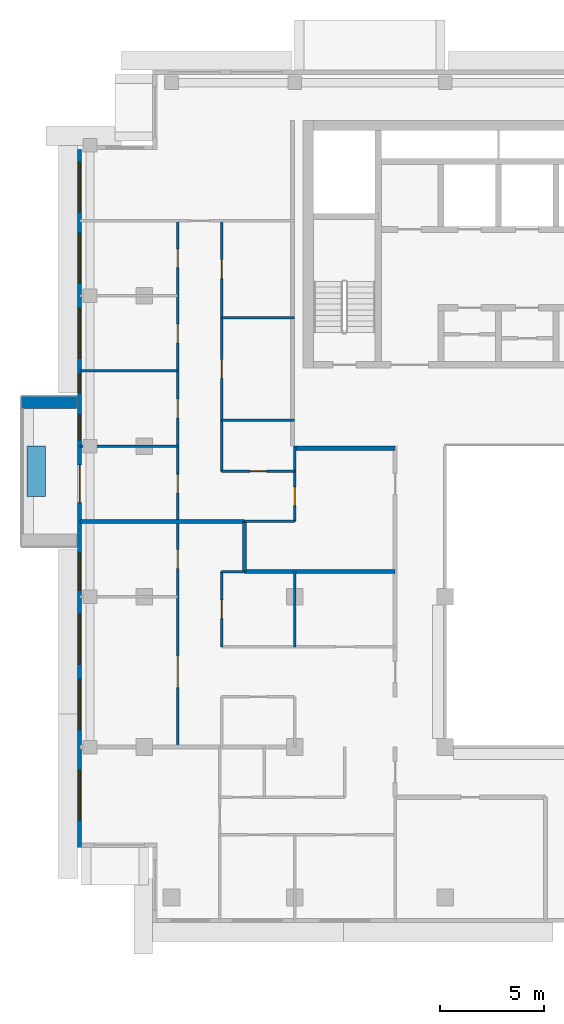
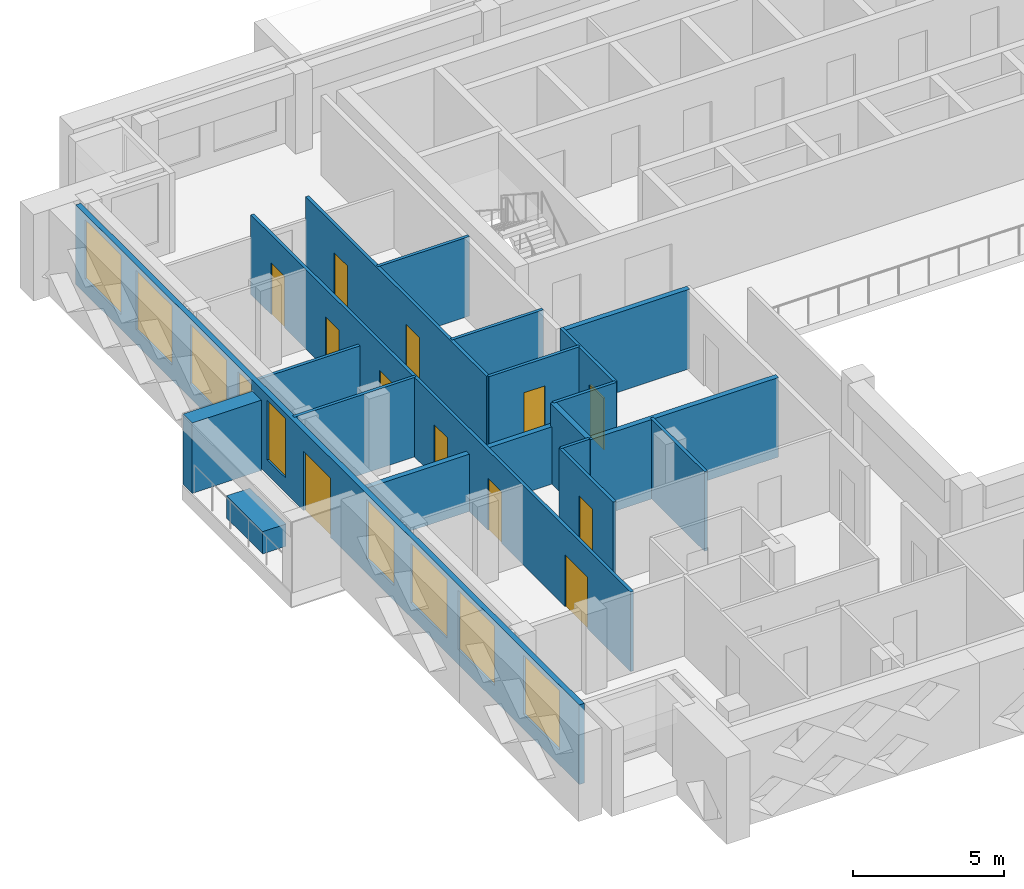
# One storey, part 7 of 19: 19 walls, 12 doors, 9 windows, 21 openings.
"""IFC4 building model written with IfcOpenShell, lengths in metres."""

from ifc_helpers import new_model, si_unit, direction, frame, frame_2d, origin, place, context, subcontext, project, spatial, rectangle, extrude, material, layer, layer_set, type_object, element, fill, save


model = new_model("IFC4")

# Units and contexts
model_context = context("Model", 3, precision=1e-05, world=origin(), true_north=direction((0.0, 1.0)))
body_context = subcontext(model_context, "Body", "Model", "MODEL_VIEW")
ifc_project = project(units=[si_unit("LENGTHUNIT", "METRE"), si_unit("AREAUNIT", "SQUARE_METRE"), si_unit("VOLUMEUNIT", "CUBIC_METRE"), si_unit("PLANEANGLEUNIT", "RADIAN"), si_unit("MASSUNIT", "GRAM", prefix="KILO")], contexts=[model_context])

# Site, building, storey
site_placement = place(None, origin())
site = spatial("IfcSite", under=ifc_project, at=site_placement, CompositionType="ELEMENT")
building_placement = place(site_placement, origin())
building = spatial("IfcBuilding", under=site, at=building_placement, Name="Saffron Iwan Residences", CompositionType="ELEMENT")
storey_placement = place(building_placement, frame((0.0, 0.0, 232.5)))
storey = spatial("IfcBuildingStorey", under=building, at=storey_placement, Name="L62", CompositionType="ELEMENT", Elevation=232.5)

# Walls
ifc_material_1 = material(Name="Concrete C50/60 white painted", Category="concrete")
ifc_layer_1 = layer(ifc_material_1, 0.60009765625)
ifc_layer_set_1 = layer_set([ifc_layer_1], Name="Concrete C50/60 white painted")
wall_type_1 = type_object("IfcWallType", Name="BALCONY FIN 600", PredefinedType="SOLIDWALL", material=ifc_layer_set_1)
wall_1_placement = place(storey_placement, frame((18.35009765625, 64.5, 0.0), z_axis=(0.0, 0.0, 1.0), x_axis=(-1.0, 0.0, 0.0)))
element("IfcWall", 1, at=wall_1_placement, inside=storey, type_object=wall_type_1, Name="Balcony fin L62 F8-0a", PredefinedType="SOLIDWALL", context=body_context, shape_type="SweptSolid", body=[
    extrude(rectangle(XDim=2.650146484375, YDim=0.60009765625, at=frame_2d((1.3251953125, 0.0))), origin(), (0.0, 0.0, 1.0), 2.85009765625),
])
ifc_material_2 = material(Name="Concrete C35/45 white painted", Category="concrete")
ifc_layer_2 = layer(ifc_material_2, 0.14990234375)
ifc_layer_set_2 = layer_set([ifc_layer_2], Name="Concrete C35/45 white painted")
wall_type_2 = type_object("IfcWallType", Name="BALCONY PLANTER", PredefinedType="SOLIDWALL", material=ifc_layer_set_2)
wall_2_placement = place(storey_placement, frame((16.425048828125, 62.39990234375, 0.0), z_axis=(0.0, 0.0, 1.0), x_axis=(0.0, -1.0, 0.0)))
element("IfcWall", 2, at=wall_2_placement, inside=storey, type_object=wall_type_2, Name="PLANTER L62 F8-0", PredefinedType="SOLIDWALL", context=body_context, shape_type="SweptSolid", body=[
    extrude(rectangle(XDim=2.39990234375, YDim=0.89990234375, at=frame_2d((1.199951171875, 0.0))), origin(), (0.0, 0.0, 1.0), 0.89990234375),
])

# Wall, openings, door, windows
ifc_material_3 = material(Name="Concrete C40/50", Category="concrete")
ifc_layer_3 = layer(ifc_material_3, 0.199951171875)
ifc_layer_set_3 = layer_set([ifc_layer_3], Name="Concrete C40/50")
wall_type_3 = type_object("IfcWallType", Name="EXTERNAL WALL 200", PredefinedType="SOLIDWALL", material=ifc_layer_set_3)
wall_3_placement = place(storey_placement, frame((18.5, 76.60009765625, 0.0), z_axis=(0.0, 0.0, 1.0), x_axis=(0.0, -1.0, 0.0)))
wall_3 = element("IfcWall", 3, at=wall_3_placement, inside=storey, type_object=wall_type_3, Name="External wall L62 F8.0", PredefinedType="SOLIDWALL", context=body_context, shape_type="SweptSolid", body=[
    extrude(rectangle(XDim=33.400146484375, YDim=0.199951171875, at=frame_2d((16.7001953125, 0.0))), origin(), (0.0, 0.0, 1.0), 3.219970703125),
])
opening_1_placement = place(wall_3_placement, frame((15.10009765625, 0.0, 0.0)))
opening_1 = element("IfcOpeningElement", 4, at=opening_1_placement, cuts=wall_3, Name="Opening BD1", PredefinedType="OPENING", context=body_context, shape_type="SweptSolid", body=[
    extrude(rectangle(XDim=1.800048828125, YDim=2.39990234375, at=frame_2d((0.89990234375, 1.199951171875))), frame((0.0, 0.10986328125, 0.0), z_axis=(0.0, -1.0, 0.0), x_axis=(1.0, 0.0, 0.0)), (0.0, 0.0, 1.0), 0.219970703125),
])
opening_2_placement = place(wall_3_placement, frame((29.699951171875, 0.0, 0.60009765625)))
opening_2 = element("IfcOpeningElement", 5, at=opening_2_placement, cuts=wall_3, Name="Opening W1", PredefinedType="OPENING", context=body_context, shape_type="SweptSolid", body=[
    extrude(rectangle(XDim=2.39990234375, YDim=2.39990234375, at=frame_2d((1.199951171875, 1.199951171875))), frame((0.0, 0.10986328125, 0.0), z_axis=(0.0, -1.0, 0.0), x_axis=(1.0, 0.0, 0.0)), (0.0, 0.0, 1.0), 0.219970703125),
])
opening_3_placement = place(wall_3_placement, frame((22.2333984375, 0.0, 0.60009765625)))
opening_3 = element("IfcOpeningElement", 6, at=opening_3_placement, cuts=wall_3, Name="Opening W1", PredefinedType="OPENING", context=body_context, shape_type="SweptSolid", body=[
    extrude(rectangle(XDim=2.39990234375, YDim=2.39990234375, at=frame_2d((1.199951171875, 1.199951171875))), frame((0.0, 0.10986328125, 0.0), z_axis=(0.0, -1.0, 0.0), x_axis=(1.0, 0.0, 0.0)), (0.0, 0.0, 1.0), 0.219970703125),
])
opening_4_placement = place(wall_3_placement, frame((25.36669921875, 0.0, 0.60009765625)))
opening_4 = element("IfcOpeningElement", 7, at=opening_4_placement, cuts=wall_3, Name="Opening W1", PredefinedType="OPENING", context=body_context, shape_type="SweptSolid", body=[
    extrude(rectangle(XDim=2.39990234375, YDim=2.39990234375, at=frame_2d((1.199951171875, 1.199951171875))), frame((0.0, 0.10986328125, 0.0), z_axis=(0.0, -1.0, 0.0), x_axis=(1.0, 0.0, 0.0)), (0.0, 0.0, 1.0), 0.219970703125),
])
opening_5_placement = place(wall_3_placement, frame((19.300048828125, 0.0, 0.60009765625)))
opening_5 = element("IfcOpeningElement", 8, at=opening_5_placement, cuts=wall_3, Name="Opening W8", PredefinedType="OPENING", context=body_context, shape_type="SweptSolid", body=[
    extrude(rectangle(XDim=1.800048828125, YDim=2.39990234375, at=frame_2d((0.89990234375, 1.199951171875))), frame((0.0, 0.10986328125, 0.0), z_axis=(0.0, -1.0, 0.0), x_axis=(1.0, 0.0, 0.0)), (0.0, 0.0, 1.0), 0.219970703125),
])
opening_6_placement = place(wall_3_placement, frame((10.75, 0.0, 0.60009765625)))
opening_6 = element("IfcOpeningElement", 9, at=opening_6_placement, cuts=wall_3, Name="Opening W10", PredefinedType="OPENING", context=body_context, shape_type="SweptSolid", body=[
    extrude(rectangle(XDim=0.89990234375, YDim=2.39990234375, at=frame_2d((0.449951171875, 1.199951171875))), frame((0.0, 0.10986328125, 0.0), z_axis=(0.0, -1.0, 0.0), x_axis=(1.0, 0.0, 0.0)), (0.0, 0.0, 1.0), 0.219970703125),
])
opening_7_placement = place(wall_3_placement, frame((12.699951171875, 0.0, 0.60009765625)))
opening_7 = element("IfcOpeningElement", 10, at=opening_7_placement, cuts=wall_3, Name="Opening W3", PredefinedType="OPENING", context=body_context, shape_type="SweptSolid", body=[
    extrude(rectangle(XDim=1.199951171875, YDim=2.39990234375, at=frame_2d((0.60009765625, 1.199951171875))), frame((0.0, 0.10986328125, 0.0), z_axis=(0.0, -1.0, 0.0), x_axis=(1.0, 0.0, 0.0)), (0.0, 0.0, 1.0), 0.219970703125),
])
opening_8_placement = place(wall_3_placement, frame((7.60009765625, 0.0, 0.60009765625)))
opening_8 = element("IfcOpeningElement", 11, at=opening_8_placement, cuts=wall_3, Name="Opening W1", PredefinedType="OPENING", context=body_context, shape_type="SweptSolid", body=[
    extrude(rectangle(XDim=2.39990234375, YDim=2.39990234375, at=frame_2d((1.199951171875, 1.199951171875))), frame((0.0, 0.10986328125, 0.0), z_axis=(0.0, -1.0, 0.0), x_axis=(1.0, 0.0, 0.0)), (0.0, 0.0, 1.0), 0.219970703125),
])
opening_9_placement = place(wall_3_placement, frame((4.0, 0.0, 0.60009765625)))
opening_9 = element("IfcOpeningElement", 12, at=opening_9_placement, cuts=wall_3, Name="Opening W1", PredefinedType="OPENING", context=body_context, shape_type="SweptSolid", body=[
    extrude(rectangle(XDim=2.39990234375, YDim=2.39990234375, at=frame_2d((1.199951171875, 1.199951171875))), frame((0.0, 0.10986328125, 0.0), z_axis=(0.0, -1.0, 0.0), x_axis=(1.0, 0.0, 0.0)), (0.0, 0.0, 1.0), 0.219970703125),
])
opening_10_placement = place(wall_3_placement, frame((0.60009765625, 0.0, 0.60009765625)))
opening_10 = element("IfcOpeningElement", 13, at=opening_10_placement, cuts=wall_3, Name="Opening W1", PredefinedType="OPENING", context=body_context, shape_type="SweptSolid", body=[
    extrude(rectangle(XDim=2.39990234375, YDim=2.39990234375, at=frame_2d((1.199951171875, 1.199951171875))), frame((0.0, 0.10986328125, 0.0), z_axis=(0.0, -1.0, 0.0), x_axis=(1.0, 0.0, 0.0)), (0.0, 0.0, 1.0), 0.219970703125),
])
ifc_material_4 = material(Name="Clear glass, laminated double glazed", Category="glass")
door_type_1 = type_object("IfcDoorType", Name="BALCONY DOOR 1800 x 2400", OperationType="DOUBLE_DOOR_SLIDING", PredefinedType="DOOR", material=ifc_material_4)
door_1_placement = place(opening_1_placement, origin())
door_1 = element("IfcDoor", 14, at=door_1_placement, inside=storey, type_object=door_type_1, Name="Balcony door L62 F8.0", OperationType="DOUBLE_DOOR_SLIDING", OverallHeight=2.39990234375, OverallWidth=1.800048828125, PredefinedType="DOOR", context=body_context, shape_type="SweptSolid", body=[
    extrude(rectangle(XDim=1.800048828125, YDim=2.39990234375, at=frame_2d((0.89990234375, 1.199951171875))), frame((0.0, 0.02490234375, 0.0), z_axis=(0.0, -1.0, 0.0), x_axis=(1.0, 0.0, 0.0)), (0.0, 0.0, 1.0), 0.050048828125),
])
fill(opening_1, door_1)
window_type_1 = type_object("IfcWindowType", Name="WINDOW 1200 x 2400", PartitioningType="SINGLE_PANEL", PredefinedType="WINDOW", material=ifc_material_4)
window_1_placement = place(opening_7_placement, origin())
window_1 = element("IfcWindow", 15, at=window_1_placement, inside=storey, type_object=window_type_1, Name="Window L62 F8.6", OverallHeight=2.39990234375, OverallWidth=1.199951171875, PartitioningType="SINGLE_PANEL", PredefinedType="WINDOW", context=body_context, shape_type="SweptSolid", body=[
    extrude(rectangle(XDim=1.199951171875, YDim=2.39990234375, at=frame_2d((0.60009765625, 1.199951171875))), frame((0.0, 0.030029296875, 0.0), z_axis=(0.0, -1.0, 0.0), x_axis=(1.0, 0.0, 0.0)), (0.0, 0.0, 1.0), 0.06005859375),
])
fill(opening_7, window_1)
window_type_2 = type_object("IfcWindowType", Name="WINDOW 1800 x 2400", PartitioningType="DOUBLE_PANEL_VERTICAL", PredefinedType="WINDOW", material=ifc_material_4)
window_2_placement = place(opening_5_placement, origin())
window_2 = element("IfcWindow", 16, at=window_2_placement, inside=storey, type_object=window_type_2, Name="Window L62 F8.4", OverallHeight=2.39990234375, OverallWidth=1.800048828125, PartitioningType="DOUBLE_PANEL_VERTICAL", PredefinedType="WINDOW", context=body_context, shape_type="SweptSolid", body=[
    extrude(rectangle(XDim=1.800048828125, YDim=2.39990234375, at=frame_2d((0.89990234375, 1.199951171875))), frame((0.0, 0.030029296875, 0.0), z_axis=(0.0, -1.0, 0.0), x_axis=(1.0, 0.0, 0.0)), (0.0, 0.0, 1.0), 0.06005859375),
])
fill(opening_5, window_2)
window_type_3 = type_object("IfcWindowType", Name="WINDOW 2400 x 2400", PartitioningType="DOUBLE_PANEL_VERTICAL", PredefinedType="WINDOW", material=ifc_material_4)
window_3_placement = place(opening_2_placement, origin())
window_3 = element("IfcWindow", 17, at=window_3_placement, inside=storey, type_object=window_type_3, Name="Window L62 F8.1", OverallHeight=2.39990234375, OverallWidth=2.39990234375, PartitioningType="DOUBLE_PANEL_VERTICAL", PredefinedType="WINDOW", context=body_context, shape_type="SweptSolid", body=[
    extrude(rectangle(XDim=2.39990234375, YDim=2.39990234375, at=frame_2d((1.199951171875, 1.199951171875))), frame((0.0, 0.030029296875, 0.0), z_axis=(0.0, -1.0, 0.0), x_axis=(1.0, 0.0, 0.0)), (0.0, 0.0, 1.0), 0.06005859375),
])
fill(opening_2, window_3)
window_4_placement = place(opening_3_placement, origin())
window_4 = element("IfcWindow", 18, at=window_4_placement, inside=storey, type_object=window_type_3, Name="Window L62 F8.2", OverallHeight=2.39990234375, OverallWidth=2.39990234375, PartitioningType="DOUBLE_PANEL_VERTICAL", PredefinedType="WINDOW", context=body_context, shape_type="SweptSolid", body=[
    extrude(rectangle(XDim=2.39990234375, YDim=2.39990234375, at=frame_2d((1.199951171875, 1.199951171875))), frame((0.0, 0.030029296875, 0.0), z_axis=(0.0, -1.0, 0.0), x_axis=(1.0, 0.0, 0.0)), (0.0, 0.0, 1.0), 0.06005859375),
])
fill(opening_3, window_4)
window_5_placement = place(opening_4_placement, origin())
window_5 = element("IfcWindow", 19, at=window_5_placement, inside=storey, type_object=window_type_3, Name="Window L62 F8.3", OverallHeight=2.39990234375, OverallWidth=2.39990234375, PartitioningType="DOUBLE_PANEL_VERTICAL", PredefinedType="WINDOW", context=body_context, shape_type="SweptSolid", body=[
    extrude(rectangle(XDim=2.39990234375, YDim=2.39990234375, at=frame_2d((1.199951171875, 1.199951171875))), frame((0.0, 0.030029296875, 0.0), z_axis=(0.0, -1.0, 0.0), x_axis=(1.0, 0.0, 0.0)), (0.0, 0.0, 1.0), 0.06005859375),
])
fill(opening_4, window_5)
window_6_placement = place(opening_8_placement, origin())
window_6 = element("IfcWindow", 20, at=window_6_placement, inside=storey, type_object=window_type_3, Name="Window L62 F8.7", OverallHeight=2.39990234375, OverallWidth=2.39990234375, PartitioningType="DOUBLE_PANEL_VERTICAL", PredefinedType="WINDOW", context=body_context, shape_type="SweptSolid", body=[
    extrude(rectangle(XDim=2.39990234375, YDim=2.39990234375, at=frame_2d((1.199951171875, 1.199951171875))), frame((0.0, 0.030029296875, 0.0), z_axis=(0.0, -1.0, 0.0), x_axis=(1.0, 0.0, 0.0)), (0.0, 0.0, 1.0), 0.06005859375),
])
fill(opening_8, window_6)
window_7_placement = place(opening_9_placement, origin())
window_7 = element("IfcWindow", 21, at=window_7_placement, inside=storey, type_object=window_type_3, Name="Window L62 F8.8", OverallHeight=2.39990234375, OverallWidth=2.39990234375, PartitioningType="DOUBLE_PANEL_VERTICAL", PredefinedType="WINDOW", context=body_context, shape_type="SweptSolid", body=[
    extrude(rectangle(XDim=2.39990234375, YDim=2.39990234375, at=frame_2d((1.199951171875, 1.199951171875))), frame((0.0, 0.030029296875, 0.0), z_axis=(0.0, -1.0, 0.0), x_axis=(1.0, 0.0, 0.0)), (0.0, 0.0, 1.0), 0.06005859375),
])
fill(opening_9, window_7)
window_8_placement = place(opening_10_placement, origin())
window_8 = element("IfcWindow", 22, at=window_8_placement, inside=storey, type_object=window_type_3, Name="Window L62 F8.9", OverallHeight=2.39990234375, OverallWidth=2.39990234375, PartitioningType="DOUBLE_PANEL_VERTICAL", PredefinedType="WINDOW", context=body_context, shape_type="SweptSolid", body=[
    extrude(rectangle(XDim=2.39990234375, YDim=2.39990234375, at=frame_2d((1.199951171875, 1.199951171875))), frame((0.0, 0.030029296875, 0.0), z_axis=(0.0, -1.0, 0.0), x_axis=(1.0, 0.0, 0.0)), (0.0, 0.0, 1.0), 0.06005859375),
])
fill(opening_10, window_8)
window_type_4 = type_object("IfcWindowType", Name="WINDOW 900 x 2400", PartitioningType="SINGLE_PANEL", PredefinedType="WINDOW", material=ifc_material_4)
window_9_placement = place(opening_6_placement, origin())
window_9 = element("IfcWindow", 23, at=window_9_placement, inside=storey, type_object=window_type_4, Name="Window L62 F8.5", OverallHeight=2.39990234375, OverallWidth=0.89990234375, PartitioningType="SINGLE_PANEL", PredefinedType="WINDOW", context=body_context, shape_type="SweptSolid", body=[
    extrude(rectangle(XDim=0.89990234375, YDim=2.39990234375, at=frame_2d((0.449951171875, 1.199951171875))), frame((0.0, 0.030029296875, 0.0), z_axis=(0.0, -1.0, 0.0), x_axis=(1.0, 0.0, 0.0)), (0.0, 0.0, 1.0), 0.06005859375),
])
fill(opening_6, window_9)

# Walls
ifc_material_5 = material(Name="Fire-rated gypsum board wall")
ifc_layer_4 = layer(ifc_material_5, 0.199951171875)
ifc_layer_set_4 = layer_set([ifc_layer_4], Name="Fire-rated gypsum board wall")
wall_type_4 = type_object("IfcWallType", Name="Flat demising wall 200", PredefinedType="SOLIDWALL", material=ifc_layer_set_4)
wall_4_placement = place(storey_placement, frame((26.39990234375, 56.39990234375, 0.0), z_axis=(0.0, 0.0, 1.0), x_axis=(1.0, 0.0, 0.0)))
element("IfcWall", 24, at=wall_4_placement, inside=storey, type_object=wall_type_4, Name="W-L62-DEMISE-h56.4-26.4", PredefinedType="SOLIDWALL", context=body_context, shape_type="SweptSolid", body=[
    extrude(rectangle(XDim=7.2001953125, YDim=0.199951171875, at=frame_2d((3.60009765625, 0.0))), origin(), (0.0, 0.0, 1.0), 3.219970703125),
])
wall_5_placement = place(storey_placement, frame((18.52490234375, 58.800048828125, 0.0), z_axis=(0.0, 0.0, 1.0), x_axis=(1.0, 0.0, 0.0)))
element("IfcWall", 25, at=wall_5_placement, inside=storey, type_object=wall_type_4, Name="W-L62-DEMISE-h58.8-18.525", PredefinedType="SOLIDWALL", context=body_context, shape_type="SweptSolid", body=[
    extrude(rectangle(XDim=7.875, YDim=0.199951171875, at=frame_2d((3.9375, 0.0))), origin(), (0.0, 0.0, 1.0), 2.320068359375),
])
wall_6_placement = place(storey_placement, frame((26.39990234375, 56.39990234375, 0.0), z_axis=(0.0, 0.0, 1.0), x_axis=(0.0, 1.0, 0.0)))
element("IfcWall", 26, at=wall_6_placement, inside=storey, type_object=wall_type_4, Name="W-L62-DEMISE-v26.4-56.4", PredefinedType="SOLIDWALL", context=body_context, shape_type="SweptSolid", body=[
    extrude(rectangle(XDim=2.400146484375, YDim=0.199951171875, at=frame_2d((1.2001953125, 0.0))), origin(), (0.0, 0.0, 1.0), 3.219970703125),
])
ifc_material_6 = material(Name="Gypsum board partition")
ifc_layer_5 = layer(ifc_material_6, 0.1201171875)
ifc_layer_set_5 = layer_set([ifc_layer_5], Name="Gypsum board partition")
wall_type_5 = type_object("IfcWallType", Name="Flat partition 120", PredefinedType="PARTITIONING", material=ifc_layer_set_5)
wall_7_placement = place(storey_placement, frame((25.300048828125, 56.39990234375, 0.0), z_axis=(0.0, 0.0, 1.0), x_axis=(1.0, 0.0, 0.0)))
element("IfcWall", 27, at=wall_7_placement, inside=storey, type_object=wall_type_5, Name="W-L62-PART-h56.4-25.3", PredefinedType="PARTITIONING", context=body_context, shape_type="SweptSolid", body=[
    extrude(rectangle(XDim=1.099853515625, YDim=0.1201171875, at=frame_2d((0.5498046875, 0.0))), origin(), (0.0, 0.0, 1.0), 3.219970703125),
])
wall_8_placement = place(storey_placement, frame((26.39990234375, 58.800048828125, 0.0), z_axis=(0.0, 0.0, 1.0), x_axis=(1.0, 0.0, 0.0)))
element("IfcWall", 28, at=wall_8_placement, inside=storey, type_object=wall_type_5, Name="W-L62-PART-h58.8-26.4", PredefinedType="PARTITIONING", context=body_context, shape_type="SweptSolid", body=[
    extrude(rectangle(XDim=2.400146484375, YDim=0.1201171875, at=frame_2d((1.2001953125, 0.0))), origin(), (0.0, 0.0, 1.0), 3.219970703125),
])

# Wall, opening, door
wall_9_placement = place(storey_placement, frame((25.300048828125, 61.199951171875, 0.0), z_axis=(0.0, 0.0, 1.0), x_axis=(1.0, 0.0, 0.0)))
wall_9 = element("IfcWall", 29, at=wall_9_placement, inside=storey, type_object=wall_type_5, Name="W-L62-PART-h61.2-25.3", PredefinedType="PARTITIONING", context=body_context, shape_type="SweptSolid", body=[
    extrude(rectangle(XDim=3.5, YDim=0.1201171875, at=frame_2d((1.75, 0.0))), origin(), (0.0, 0.0, 1.0), 3.219970703125),
])
opening_11_placement = place(wall_9_placement, frame((1.35009765625, 0.0, 0.0)))
opening_11 = element("IfcOpeningElement", 30, at=opening_11_placement, cuts=wall_9, Name="Opening FD3", PredefinedType="OPENING", context=body_context, shape_type="SweptSolid", body=[
    extrude(rectangle(XDim=0.800048828125, YDim=2.10009765625, at=frame_2d((0.39990234375, 1.050048828125))), frame((0.0, 0.070068359375, 0.0), z_axis=(0.0, -1.0, 0.0), x_axis=(1.0, 0.0, 0.0)), (0.0, 0.0, 1.0), 0.14013671875),
])
ifc_material_7 = material(Name="Timber door", Category="wood")
door_type_2 = type_object("IfcDoorType", Name="Bathroom door 800", OperationType="NOTDEFINED", PredefinedType="DOOR", material=ifc_material_7)
door_2_placement = place(opening_11_placement, origin())
door_2 = element("IfcDoor", 31, at=door_2_placement, inside=storey, type_object=door_type_2, Name="Door L62-030", OperationType="SINGLE_SWING_LEFT", OverallHeight=2.10009765625, OverallWidth=0.800048828125, PredefinedType="DOOR", context=body_context, shape_type="SweptSolid", body=[
    extrude(rectangle(XDim=0.800048828125, YDim=2.10009765625, at=frame_2d((0.39990234375, 1.050048828125))), frame((0.0, 0.02490234375, 0.0), z_axis=(0.0, -1.0, 0.0), x_axis=(1.0, 0.0, 0.0)), (0.0, 0.0, 1.0), 0.050048828125),
])
fill(opening_11, door_2)

# Walls
wall_10_placement = place(storey_placement, frame((18.52490234375, 62.39990234375, 0.0), z_axis=(0.0, 0.0, 1.0), x_axis=(1.0, 0.0, 0.0)))
element("IfcWall", 32, at=wall_10_placement, inside=storey, type_object=wall_type_5, Name="W-L62-PART-h62.4-18.525", PredefinedType="PARTITIONING", context=body_context, shape_type="SweptSolid", body=[
    extrude(rectangle(XDim=4.675048828125, YDim=0.1201171875, at=frame_2d((2.33740234375, 0.0))), origin(), (0.0, 0.0, 1.0), 3.219970703125),
])
wall_11_placement = place(storey_placement, frame((25.300048828125, 63.64990234375, 0.0), z_axis=(0.0, 0.0, 1.0), x_axis=(1.0, 0.0, 0.0)))
element("IfcWall", 33, at=wall_11_placement, inside=storey, type_object=wall_type_5, Name="W-L62-PART-h63.65-25.3", PredefinedType="PARTITIONING", context=body_context, shape_type="SweptSolid", body=[
    extrude(rectangle(XDim=3.5, YDim=0.1201171875, at=frame_2d((1.75, 0.0))), origin(), (0.0, 0.0, 1.0), 3.219970703125),
])
wall_12_placement = place(storey_placement, frame((18.52490234375, 66.0, 0.0), z_axis=(0.0, 0.0, 1.0), x_axis=(1.0, 0.0, 0.0)))
element("IfcWall", 34, at=wall_12_placement, inside=storey, type_object=wall_type_5, Name="W-L62-PART-h66-18.525", PredefinedType="PARTITIONING", context=body_context, shape_type="SweptSolid", body=[
    extrude(rectangle(XDim=4.675048828125, YDim=0.1201171875, at=frame_2d((2.33740234375, 0.0))), origin(), (0.0, 0.0, 1.0), 2.320068359375),
])
wall_13_placement = place(storey_placement, frame((25.300048828125, 68.550048828125, 0.0), z_axis=(0.0, 0.0, 1.0), x_axis=(1.0, 0.0, 0.0)))
element("IfcWall", 35, at=wall_13_placement, inside=storey, type_object=wall_type_5, Name="W-L62-PART-h68.55-25.3", PredefinedType="PARTITIONING", context=body_context, shape_type="SweptSolid", body=[
    extrude(rectangle(XDim=3.5, YDim=0.1201171875, at=frame_2d((1.75, 0.0))), origin(), (0.0, 0.0, 1.0), 3.219970703125),
])

# Wall, openings, doors
wall_14_placement = place(storey_placement, frame((23.199951171875, 48.0, 0.0), z_axis=(0.0, 0.0, 1.0), x_axis=(0.0, 1.0, 0.0)))
wall_14 = element("IfcWall", 36, at=wall_14_placement, inside=storey, type_object=wall_type_5, Name="W-L62-PART-v23.2-48", PredefinedType="PARTITIONING", context=body_context, shape_type="SweptSolid", body=[
    extrude(rectangle(XDim=25.199951171875, YDim=0.1201171875, at=frame_2d((12.60009765625, 0.0))), origin(), (0.0, 0.0, 1.0), 3.219970703125),
])
opening_12_placement = place(wall_14_placement, frame((2.85009765625, 0.0, 0.0)))
opening_12 = element("IfcOpeningElement", 37, at=opening_12_placement, cuts=wall_14, Name="Opening FD4", PredefinedType="OPENING", context=body_context, shape_type="SweptSolid", body=[
    extrude(rectangle(XDim=1.5, YDim=2.10009765625, at=frame_2d((0.75, 1.050048828125))), frame((0.0, 0.070068359375, 0.0), z_axis=(0.0, -1.0, 0.0), x_axis=(1.0, 0.0, 0.0)), (0.0, 0.0, 1.0), 0.14013671875),
])
opening_13_placement = place(wall_14_placement, frame((8.550048828125, 0.0, 0.0)))
opening_13 = element("IfcOpeningElement", 38, at=opening_13_placement, cuts=wall_14, Name="Opening FD2", PredefinedType="OPENING", context=body_context, shape_type="SweptSolid", body=[
    extrude(rectangle(XDim=0.89990234375, YDim=2.10009765625, at=frame_2d((0.449951171875, 1.050048828125))), frame((0.0, 0.070068359375, 0.0), z_axis=(0.0, -1.0, 0.0), x_axis=(1.0, 0.0, 0.0)), (0.0, 0.0, 1.0), 0.14013671875),
])
opening_14_placement = place(wall_14_placement, frame((12.14990234375, 0.0, 0.0)))
opening_14 = element("IfcOpeningElement", 39, at=opening_14_placement, cuts=wall_14, Name="Opening FD2", PredefinedType="OPENING", context=body_context, shape_type="SweptSolid", body=[
    extrude(rectangle(XDim=0.89990234375, YDim=2.10009765625, at=frame_2d((0.449951171875, 1.050048828125))), frame((0.0, 0.070068359375, 0.0), z_axis=(0.0, -1.0, 0.0), x_axis=(1.0, 0.0, 0.0)), (0.0, 0.0, 1.0), 0.14013671875),
])
opening_15_placement = place(wall_14_placement, frame((15.75, 0.0, 0.0)))
opening_15 = element("IfcOpeningElement", 40, at=opening_15_placement, cuts=wall_14, Name="Opening FD2", PredefinedType="OPENING", context=body_context, shape_type="SweptSolid", body=[
    extrude(rectangle(XDim=0.89990234375, YDim=2.10009765625, at=frame_2d((0.449951171875, 1.050048828125))), frame((0.0, 0.070068359375, 0.0), z_axis=(0.0, -1.0, 0.0), x_axis=(1.0, 0.0, 0.0)), (0.0, 0.0, 1.0), 0.14013671875),
])
opening_16_placement = place(wall_14_placement, frame((19.35009765625, 0.0, 0.0)))
opening_16 = element("IfcOpeningElement", 41, at=opening_16_placement, cuts=wall_14, Name="Opening FD2", PredefinedType="OPENING", context=body_context, shape_type="SweptSolid", body=[
    extrude(rectangle(XDim=0.89990234375, YDim=2.10009765625, at=frame_2d((0.449951171875, 1.050048828125))), frame((0.0, 0.070068359375, 0.0), z_axis=(0.0, -1.0, 0.0), x_axis=(1.0, 0.0, 0.0)), (0.0, 0.0, 1.0), 0.14013671875),
])
opening_17_placement = place(wall_14_placement, frame((22.949951171875, 0.0, 0.0)))
opening_17 = element("IfcOpeningElement", 42, at=opening_17_placement, cuts=wall_14, Name="Opening FD2", PredefinedType="OPENING", context=body_context, shape_type="SweptSolid", body=[
    extrude(rectangle(XDim=0.89990234375, YDim=2.10009765625, at=frame_2d((0.449951171875, 1.050048828125))), frame((0.0, 0.070068359375, 0.0), z_axis=(0.0, -1.0, 0.0), x_axis=(1.0, 0.0, 0.0)), (0.0, 0.0, 1.0), 0.14013671875),
])
door_type_3 = type_object("IfcDoorType", Name="Double door 1500", OperationType="NOTDEFINED", PredefinedType="DOOR", material=ifc_material_7)
door_3_placement = place(opening_12_placement, origin())
door_3 = element("IfcDoor", 43, at=door_3_placement, inside=storey, type_object=door_type_3, Name="Door L62-009", OperationType="SINGLE_SWING_LEFT", OverallHeight=2.10009765625, OverallWidth=1.5, PredefinedType="DOOR", context=body_context, shape_type="SweptSolid", body=[
    extrude(rectangle(XDim=1.5, YDim=2.10009765625, at=frame_2d((0.75, 1.050048828125))), frame((0.0, 0.02490234375, 0.0), z_axis=(0.0, -1.0, 0.0), x_axis=(1.0, 0.0, 0.0)), (0.0, 0.0, 1.0), 0.050048828125),
])
fill(opening_12, door_3)
door_type_4 = type_object("IfcDoorType", Name="Flat door 900", OperationType="NOTDEFINED", PredefinedType="DOOR", material=ifc_material_7)
door_4_placement = place(opening_13_placement, origin())
door_4 = element("IfcDoor", 44, at=door_4_placement, inside=storey, type_object=door_type_4, Name="Door L62-010", OperationType="SINGLE_SWING_LEFT", OverallHeight=2.10009765625, OverallWidth=0.89990234375, PredefinedType="DOOR", context=body_context, shape_type="SweptSolid", body=[
    extrude(rectangle(XDim=0.89990234375, YDim=2.10009765625, at=frame_2d((0.449951171875, 1.050048828125))), frame((0.0, 0.02490234375, 0.0), z_axis=(0.0, -1.0, 0.0), x_axis=(1.0, 0.0, 0.0)), (0.0, 0.0, 1.0), 0.050048828125),
])
fill(opening_13, door_4)
door_5_placement = place(opening_14_placement, origin())
door_5 = element("IfcDoor", 45, at=door_5_placement, inside=storey, type_object=door_type_4, Name="Door L62-025", OperationType="SINGLE_SWING_LEFT", OverallHeight=2.10009765625, OverallWidth=0.89990234375, PredefinedType="DOOR", context=body_context, shape_type="SweptSolid", body=[
    extrude(rectangle(XDim=0.89990234375, YDim=2.10009765625, at=frame_2d((0.449951171875, 1.050048828125))), frame((0.0, 0.02490234375, 0.0), z_axis=(0.0, -1.0, 0.0), x_axis=(1.0, 0.0, 0.0)), (0.0, 0.0, 1.0), 0.050048828125),
])
fill(opening_14, door_5)
door_6_placement = place(opening_15_placement, origin())
door_6 = element("IfcDoor", 46, at=door_6_placement, inside=storey, type_object=door_type_4, Name="Door L62-026", OperationType="SINGLE_SWING_RIGHT", OverallHeight=2.10009765625, OverallWidth=0.89990234375, PredefinedType="DOOR", context=body_context, shape_type="SweptSolid", body=[
    extrude(rectangle(XDim=0.89990234375, YDim=2.10009765625, at=frame_2d((0.449951171875, 1.050048828125))), frame((0.0, 0.02490234375, 0.0), z_axis=(0.0, -1.0, 0.0), x_axis=(1.0, 0.0, 0.0)), (0.0, 0.0, 1.0), 0.050048828125),
])
fill(opening_15, door_6)
door_7_placement = place(opening_16_placement, origin())
door_7 = element("IfcDoor", 47, at=door_7_placement, inside=storey, type_object=door_type_4, Name="Door L62-027", OperationType="SINGLE_SWING_LEFT", OverallHeight=2.10009765625, OverallWidth=0.89990234375, PredefinedType="DOOR", context=body_context, shape_type="SweptSolid", body=[
    extrude(rectangle(XDim=0.89990234375, YDim=2.10009765625, at=frame_2d((0.449951171875, 1.050048828125))), frame((0.0, 0.02490234375, 0.0), z_axis=(0.0, -1.0, 0.0), x_axis=(1.0, 0.0, 0.0)), (0.0, 0.0, 1.0), 0.050048828125),
])
fill(opening_16, door_7)
door_8_placement = place(opening_17_placement, origin())
door_8 = element("IfcDoor", 48, at=door_8_placement, inside=storey, type_object=door_type_4, Name="Door L62-028", OperationType="SINGLE_SWING_LEFT", OverallHeight=2.10009765625, OverallWidth=0.89990234375, PredefinedType="DOOR", context=body_context, shape_type="SweptSolid", body=[
    extrude(rectangle(XDim=0.89990234375, YDim=2.10009765625, at=frame_2d((0.449951171875, 1.050048828125))), frame((0.0, 0.02490234375, 0.0), z_axis=(0.0, -1.0, 0.0), x_axis=(1.0, 0.0, 0.0)), (0.0, 0.0, 1.0), 0.050048828125),
])
fill(opening_17, door_8)

# Wall, opening, door
wall_15_placement = place(storey_placement, frame((25.300048828125, 52.800048828125, 0.0), z_axis=(0.0, 0.0, 1.0), x_axis=(0.0, 1.0, 0.0)))
wall_15 = element("IfcWall", 49, at=wall_15_placement, inside=storey, type_object=wall_type_5, Name="W-L62-PART-v25.3-52.8", PredefinedType="PARTITIONING", context=body_context, shape_type="SweptSolid", body=[
    extrude(rectangle(XDim=3.599853515625, YDim=0.1201171875, at=frame_2d((1.7998046875, 0.0))), origin(), (0.0, 0.0, 1.0), 3.219970703125),
])
opening_18_placement = place(wall_15_placement, frame((1.35009765625, 0.0, 0.0)))
opening_18 = element("IfcOpeningElement", 50, at=opening_18_placement, cuts=wall_15, Name="Opening FD2", PredefinedType="OPENING", context=body_context, shape_type="SweptSolid", body=[
    extrude(rectangle(XDim=0.89990234375, YDim=2.10009765625, at=frame_2d((0.449951171875, 1.050048828125))), frame((0.0, 0.070068359375, 0.0), z_axis=(0.0, -1.0, 0.0), x_axis=(1.0, 0.0, 0.0)), (0.0, 0.0, 1.0), 0.14013671875),
])
door_9_placement = place(opening_18_placement, origin())
door_9 = element("IfcDoor", 51, at=door_9_placement, inside=storey, type_object=door_type_4, Name="Door L62-012", OperationType="SINGLE_SWING_LEFT", OverallHeight=2.10009765625, OverallWidth=0.89990234375, PredefinedType="DOOR", context=body_context, shape_type="SweptSolid", body=[
    extrude(rectangle(XDim=0.89990234375, YDim=2.10009765625, at=frame_2d((0.449951171875, 1.050048828125))), frame((0.0, 0.02490234375, 0.0), z_axis=(0.0, -1.0, 0.0), x_axis=(1.0, 0.0, 0.0)), (0.0, 0.0, 1.0), 0.050048828125),
])
fill(opening_18, door_9)

# Wall, openings, doors
wall_16_placement = place(storey_placement, frame((25.300048828125, 61.199951171875, 0.0), z_axis=(0.0, 0.0, 1.0), x_axis=(0.0, 1.0, 0.0)))
wall_16 = element("IfcWall", 52, at=wall_16_placement, inside=storey, type_object=wall_type_5, Name="W-L62-PART-v25.3-61.2", PredefinedType="PARTITIONING", context=body_context, shape_type="SweptSolid", body=[
    extrude(rectangle(XDim=12.0, YDim=0.1201171875, at=frame_2d((6.0, 0.0))), origin(), (0.0, 0.0, 1.0), 3.219970703125),
])
opening_19_placement = place(wall_16_placement, frame((4.449951171875, 0.0, 0.0)))
opening_19 = element("IfcOpeningElement", 53, at=opening_19_placement, cuts=wall_16, Name="Opening FD2", PredefinedType="OPENING", context=body_context, shape_type="SweptSolid", body=[
    extrude(rectangle(XDim=0.89990234375, YDim=2.10009765625, at=frame_2d((0.449951171875, 1.050048828125))), frame((0.0, 0.070068359375, 0.0), z_axis=(0.0, -1.0, 0.0), x_axis=(1.0, 0.0, 0.0)), (0.0, 0.0, 1.0), 0.14013671875),
])
opening_20_placement = place(wall_16_placement, frame((9.22509765625, 0.0, 0.0)))
opening_20 = element("IfcOpeningElement", 54, at=opening_20_placement, cuts=wall_16, Name="Opening FD2", PredefinedType="OPENING", context=body_context, shape_type="SweptSolid", body=[
    extrude(rectangle(XDim=0.89990234375, YDim=2.10009765625, at=frame_2d((0.449951171875, 1.050048828125))), frame((0.0, 0.070068359375, 0.0), z_axis=(0.0, -1.0, 0.0), x_axis=(1.0, 0.0, 0.0)), (0.0, 0.0, 1.0), 0.14013671875),
])
door_10_placement = place(opening_19_placement, origin())
door_10 = element("IfcDoor", 55, at=door_10_placement, inside=storey, type_object=door_type_4, Name="Door L62-031", OperationType="SINGLE_SWING_LEFT", OverallHeight=2.10009765625, OverallWidth=0.89990234375, PredefinedType="DOOR", context=body_context, shape_type="SweptSolid", body=[
    extrude(rectangle(XDim=0.89990234375, YDim=2.10009765625, at=frame_2d((0.449951171875, 1.050048828125))), frame((0.0, 0.02490234375, 0.0), z_axis=(0.0, -1.0, 0.0), x_axis=(1.0, 0.0, 0.0)), (0.0, 0.0, 1.0), 0.050048828125),
])
fill(opening_19, door_10)
door_11_placement = place(opening_20_placement, origin())
door_11 = element("IfcDoor", 56, at=door_11_placement, inside=storey, type_object=door_type_4, Name="Door L62-032", OperationType="SINGLE_SWING_RIGHT", OverallHeight=2.10009765625, OverallWidth=0.89990234375, PredefinedType="DOOR", context=body_context, shape_type="SweptSolid", body=[
    extrude(rectangle(XDim=0.89990234375, YDim=2.10009765625, at=frame_2d((0.449951171875, 1.050048828125))), frame((0.0, 0.02490234375, 0.0), z_axis=(0.0, -1.0, 0.0), x_axis=(1.0, 0.0, 0.0)), (0.0, 0.0, 1.0), 0.050048828125),
])
fill(opening_20, door_11)

# Wall
wall_17_placement = place(storey_placement, frame((28.800048828125, 52.800048828125, 0.0), z_axis=(0.0, 0.0, 1.0), x_axis=(0.0, 1.0, 0.0)))
element("IfcWall", 57, at=wall_17_placement, inside=storey, type_object=wall_type_5, Name="W-L62-PART-v28.8-52.8", PredefinedType="PARTITIONING", context=body_context, shape_type="SweptSolid", body=[
    extrude(rectangle(XDim=3.599853515625, YDim=0.1201171875, at=frame_2d((1.7998046875, 0.0))), origin(), (0.0, 0.0, 1.0), 3.219970703125),
])

# Wall, opening, door
wall_18_placement = place(storey_placement, frame((28.800048828125, 58.800048828125, 0.0), z_axis=(0.0, 0.0, 1.0), x_axis=(0.0, 1.0, 0.0)))
wall_18 = element("IfcWall", 58, at=wall_18_placement, inside=storey, type_object=wall_type_5, Name="W-L62-PART-v28.8-58.8", PredefinedType="PARTITIONING", context=body_context, shape_type="SweptSolid", body=[
    extrude(rectangle(XDim=3.599853515625, YDim=0.1201171875, at=frame_2d((1.7998046875, 0.0))), origin(), (0.0, 0.0, 1.0), 3.219970703125),
])
opening_21_placement = place(wall_18_placement, frame((0.75, 0.0, 0.0)))
opening_21 = element("IfcOpeningElement", 59, at=opening_21_placement, cuts=wall_18, Name="Opening FD2", PredefinedType="OPENING", context=body_context, shape_type="SweptSolid", body=[
    extrude(rectangle(XDim=0.89990234375, YDim=2.10009765625, at=frame_2d((0.449951171875, 1.050048828125))), frame((0.0, 0.070068359375, 0.0), z_axis=(0.0, -1.0, 0.0), x_axis=(1.0, 0.0, 0.0)), (0.0, 0.0, 1.0), 0.14013671875),
])
door_12_placement = place(opening_21_placement, origin())
door_12 = element("IfcDoor", 60, at=door_12_placement, inside=storey, type_object=door_type_4, Name="Door L62-023", OperationType="SINGLE_SWING_RIGHT", OverallHeight=2.10009765625, OverallWidth=0.89990234375, PredefinedType="DOOR", context=body_context, shape_type="SweptSolid", body=[
    extrude(rectangle(XDim=0.89990234375, YDim=2.10009765625, at=frame_2d((0.449951171875, 1.050048828125))), frame((0.0, 0.02490234375, 0.0), z_axis=(0.0, -1.0, 0.0), x_axis=(1.0, 0.0, 0.0)), (0.0, 0.0, 1.0), 0.050048828125),
])
fill(opening_21, door_12)

# Wall
ifc_layer_6 = layer(ifc_material_5, 0.199951171875)
ifc_layer_set_6 = layer_set([ifc_layer_6], Name="Fire-rated gypsum board wall")
wall_type_6 = type_object("IfcWallType", Name="Gallery wall 200", PredefinedType="SOLIDWALL", material=ifc_layer_set_6)
wall_19_placement = place(storey_placement, frame((28.800048828125, 62.300048828125, 0.0), z_axis=(0.0, 0.0, 1.0), x_axis=(1.0, 0.0, 0.0)))
element("IfcWall", 61, at=wall_19_placement, inside=storey, type_object=wall_type_6, Name="W-L62-CORR-h62.4-28.8", PredefinedType="SOLIDWALL", context=body_context, shape_type="SweptSolid", body=[
    extrude(rectangle(XDim=4.800048828125, YDim=0.199951171875, at=frame_2d((2.39990234375, 0.0))), origin(), (0.0, 0.0, 1.0), 3.219970703125),
])

save(model, "model.ifc")
